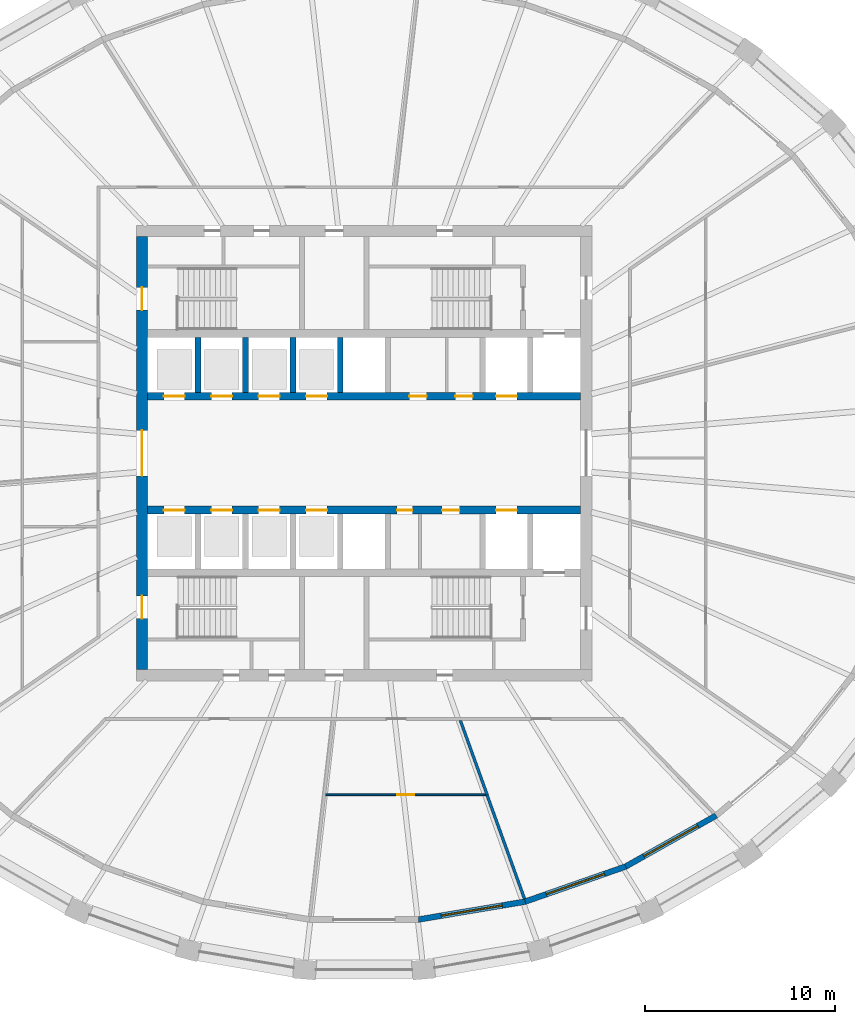
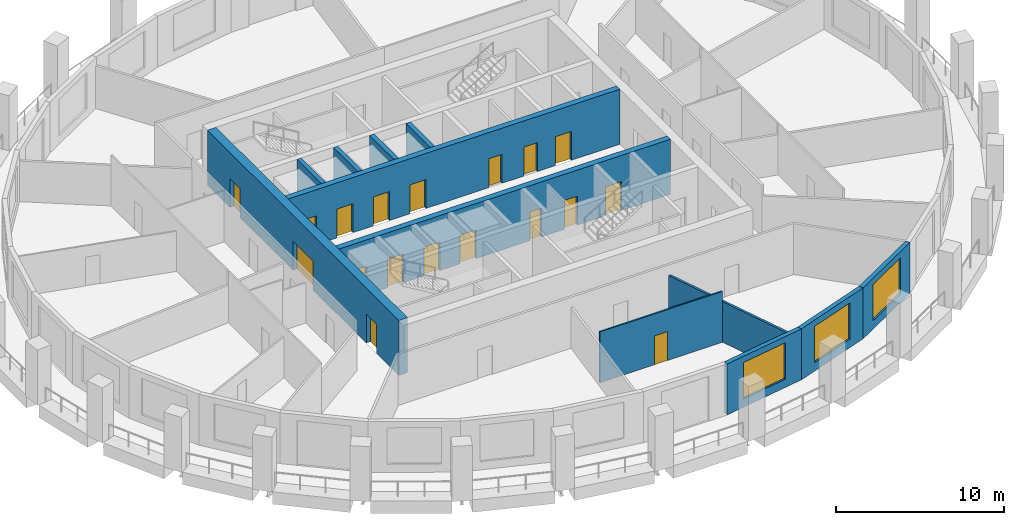
# One storey, part 4 of 11: 18 doors, 13 walls, 3 windows, 21 openings.
"""IFC4 building model written with IfcOpenShell, lengths in metres."""

import ifcopenshell
import ifcopenshell.guid

model = None  # the IFC model being written
_history = None  # IfcOwnerHistory: only IFC2X3 demands one
_inside = {}  # id of a spatial element -> (the spatial element, [elements in it])
_under = {}  # id of a project, library or spatial element -> (it, [spatial elements below it])
_declared = {}  # id of a project -> (the project, [libraries it declares])
_typed = {}  # id of a type object -> (the type object, [elements of that type])
_made_of = {}  # id of a material, layer set ... -> (it, [elements and type objects made of it])


def new_model(schema):
    """Start an empty IFC model of exactly this schema.

    Asked for "IFC4X3", IfcOpenShell would pick the latest addendum, in which some entities
    have other attributes; the version numbers below select the first issue.
    IFC2X3 requires an IfcOwnerHistory on every rooted entity: one is made here for all.
    """
    global model, _history
    if schema == "IFC4X3":
        model = ifcopenshell.file(schema_version=(4, 3, 0, 0))
    else:
        model = ifcopenshell.file(schema=schema)
    _inside.clear()
    _under.clear()
    _declared.clear()
    _typed.clear()
    _made_of.clear()
    _history = None
    if model.schema == "IFC2X3":
        org = make("IfcOrganization", Name="unknown")
        user = make(
            "IfcPersonAndOrganization",
            ThePerson=make("IfcPerson", FamilyName="unknown"),
            TheOrganization=org,
        )
        app = make(
            "IfcApplication",
            ApplicationDeveloper=org,
            Version="unknown",
            ApplicationFullName="unknown",
            ApplicationIdentifier="unknown",
        )
        _history = make(
            "IfcOwnerHistory",
            OwningUser=user,
            OwningApplication=app,
            ChangeAction="ADDED",
            CreationDate=0,
        )
    return model


def make(cls, **values):
    """One entity of the class cls with the attributes given. An attribute that is None is left unset."""
    return model.create_entity(
        cls, **{name: value for name, value in values.items() if value is not None}
    )


def rooted(cls, **values):
    """An entity with a GlobalId (a new one), such as an element, a storey or a relation."""
    return make(cls, GlobalId=ifcopenshell.guid.new(), OwnerHistory=_history, **values)


def si_unit(unit_type, name, prefix=None):
    """IfcSIUnit, for example si_unit("LENGTHUNIT", "METRE", prefix="MILLI")."""
    return make("IfcSIUnit", UnitType=unit_type, Prefix=prefix, Name=name)


def assignment(units):
    """IfcUnitAssignment: the units of a project."""
    return None if units is None else make("IfcUnitAssignment", Units=units)


def point(xyz):
    """IfcCartesianPoint."""
    return None if xyz is None else make("IfcCartesianPoint", Coordinates=xyz)


def direction(xyz):
    """IfcDirection."""
    return None if xyz is None else make("IfcDirection", DirectionRatios=xyz)


def frame(location, z_axis=None, x_axis=None):
    """IfcAxis2Placement3D, a coordinate frame: its origin and axes. An axis left out is left unset."""
    return make(
        "IfcAxis2Placement3D",
        Location=point(location),
        Axis=direction(z_axis),
        RefDirection=direction(x_axis),
    )


def frame_2d(location, x_axis=None):
    """IfcAxis2Placement2D, a coordinate frame in the plane: its origin and x axis."""
    return make(
        "IfcAxis2Placement2D", Location=point(location), RefDirection=direction(x_axis)
    )


def origin():
    """The frame at (0, 0, 0) with its axes left unset."""
    return frame((0.0, 0.0, 0.0))


def place(relative_to, where):
    """IfcLocalPlacement: puts the frame where relative to a parent placement (None: the world)."""
    return make(
        "IfcLocalPlacement", PlacementRelTo=relative_to, RelativePlacement=where
    )


def context(
    kind, dimensions, precision=None, world=None, true_north=None, identifier=None
):
    """IfcGeometricRepresentationContext, for example the 3D "Model" context."""
    return make(
        "IfcGeometricRepresentationContext",
        ContextIdentifier=identifier,
        ContextType=kind,
        CoordinateSpaceDimension=dimensions,
        Precision=precision,
        WorldCoordinateSystem=world,
        TrueNorth=true_north,
    )


def subcontext(parent, identifier, kind, view, scale=None):
    """IfcGeometricRepresentationSubContext, for example "Body" below "Model"."""
    return make(
        "IfcGeometricRepresentationSubContext",
        ContextIdentifier=identifier,
        ContextType=kind,
        ParentContext=parent,
        TargetScale=scale,
        TargetView=view,
    )


def project(units=None, contexts=None):
    """IfcProject with its units and contexts."""
    return rooted(
        "IfcProject",
        Name="project",
        RepresentationContexts=contexts,
        UnitsInContext=assignment(units),
    )


def spatial(cls, under=None, at=None, **own):
    """A site, building, storey or space (cls), placed at a placement, below another one or the project."""
    s = rooted(cls, ObjectPlacement=at, **own)
    if under is not None:
        _under.setdefault(under.id(), (under, []))[1].append(s)
    return s


def polyline(points):
    """IfcPolyline through the points."""
    return make("IfcPolyline", Points=[point(p) for p in points])


def profile(cls, at=None, kind="AREA", **sizes):
    """A parametric profile (cls). Its sizes go by their IFC names, for example OverallWidth=200.0."""
    return make(cls, ProfileType=kind, Position=at, **sizes)


def rectangle(**sizes):
    """IfcRectangleProfileDef."""
    return profile("IfcRectangleProfileDef", **sizes)


def outline(outer, holes=None, kind="AREA"):
    """IfcArbitraryClosedProfileDef: a profile drawn as a closed curve; with holes, ...WithVoids."""
    if holes is None:
        return make("IfcArbitraryClosedProfileDef", ProfileType=kind, OuterCurve=outer)
    return make(
        "IfcArbitraryProfileDefWithVoids",
        ProfileType=kind,
        OuterCurve=outer,
        InnerCurves=holes,
    )


def extrude(swept, where, along, depth):
    """IfcExtrudedAreaSolid: the profile swept, set in the frame where, extruded along a direction by depth."""
    return make(
        "IfcExtrudedAreaSolid",
        SweptArea=swept,
        Position=where,
        ExtrudedDirection=direction(along),
        Depth=depth,
    )


def shape(context_of_items, identifier, shape_type, items):
    """IfcShapeRepresentation: the items that make up one representation, for example the "Body"."""
    return make(
        "IfcShapeRepresentation",
        ContextOfItems=context_of_items,
        RepresentationIdentifier=identifier,
        RepresentationType=shape_type,
        Items=items,
    )


def material(Name=None, Category=None):
    """IfcMaterial."""
    return make("IfcMaterial", Name=Name, Category=Category)


def layer(
    of_material, thickness, ventilated=None, Name=None, Category=None, Priority=None
):
    """IfcMaterialLayer: one layer of a wall or slab, of a material (None: an air gap)."""
    return make(
        "IfcMaterialLayer",
        Material=of_material,
        LayerThickness=thickness,
        IsVentilated=ventilated,
        Name=Name,
        Category=Category,
        Priority=Priority,
    )


def layer_set(layers, Name=None):
    """IfcMaterialLayerSet."""
    return make("IfcMaterialLayerSet", MaterialLayers=layers, LayerSetName=Name)


def made_of(thing, what):
    """Note that an element or type object is made of a material, layer set ...; save() writes the relation."""
    if what is not None:
        _made_of.setdefault(what.id(), (what, []))[1].append(thing)
    return thing


def type_object(cls, material=None, **own):
    """A type object (cls), such as IfcWallType, which elements share."""
    return made_of(rooted(cls, **own), material)


def element(
    cls,
    number,
    at=None,
    inside=None,
    cuts=None,
    type_object=None,
    material=None,
    context=None,
    identifier="Body",
    shape_type=None,
    held_by="IfcProductDefinitionShape",
    body=None,
    shapes=None,
    **own,
):
    """One element of the class cls, such as IfcWall. Its Tag is "e" and its number.

    at: its placement. inside: the storey or other place that contains it. cuts: it is an
    opening in that element (IfcRelVoidsElement). A single representation is given by context,
    identifier, shape_type and body (its items); several are given by shapes. held_by: the class
    of the entity that holds the representations. save() writes the other relations.
    """
    e = rooted(cls, Tag="e%d" % number, ObjectPlacement=at, **own)
    if body is not None:
        shapes = [shape(context, identifier, shape_type, body)]
    if shapes is not None:
        e.Representation = make(held_by, Representations=shapes)
    if inside is not None:
        _inside.setdefault(inside.id(), (inside, []))[1].append(e)
    if cuts is not None:
        rooted(
            "IfcRelVoidsElement", RelatingBuildingElement=cuts, RelatedOpeningElement=e
        )
    if type_object is not None:
        _typed.setdefault(type_object.id(), (type_object, []))[1].append(e)
    return made_of(e, material)


def fill(opening, filler):
    """IfcRelFillsElement: the door or window that sits in an opening."""
    return rooted(
        "IfcRelFillsElement",
        RelatingOpeningElement=opening,
        RelatedBuildingElement=filler,
    )


def aggregate(whole, parts):
    """IfcRelAggregates: a whole, such as a stair, and the parts it consists of."""
    return rooted("IfcRelAggregates", RelatingObject=whole, RelatedObjects=parts)


def save(model, path):
    """Write the relations noted so far, then the file.

    IfcRelAggregates (storeys below a building ...), IfcRelContainedInSpatialStructure (elements
    in a storey), IfcRelDefinesByType, IfcRelAssociatesMaterial and IfcRelDeclares: one each for
    every whole, place, type object, material and project.
    """
    for whole, parts in _under.values():
        aggregate(whole, parts)
    for where, things in _inside.values():
        rooted(
            "IfcRelContainedInSpatialStructure",
            RelatedElements=things,
            RelatingStructure=where,
        )
    for kind, things in _typed.values():
        rooted("IfcRelDefinesByType", RelatedObjects=things, RelatingType=kind)
    for what, things in _made_of.values():
        rooted("IfcRelAssociatesMaterial", RelatedObjects=things, RelatingMaterial=what)
    for by, libraries in _declared.values():
        rooted("IfcRelDeclares", RelatingContext=by, RelatedDefinitions=libraries)
    model.write(path)


model = new_model("IFC4")

# Units and contexts
model_context = context("Model", 3, precision=1e-05, world=origin(), true_north=direction((0.0, 1.0)))
body_context = subcontext(model_context, "Body", "Model", "MODEL_VIEW")
ifc_project = project(units=[si_unit("LENGTHUNIT", "METRE"), si_unit("AREAUNIT", "SQUARE_METRE"), si_unit("VOLUMEUNIT", "CUBIC_METRE"), si_unit("PLANEANGLEUNIT", "RADIAN"), si_unit("MASSUNIT", "GRAM", prefix="KILO")], contexts=[model_context])

# Site, building, storey
site_placement = place(None, origin())
site = spatial("IfcSite", under=ifc_project, at=site_placement, CompositionType="ELEMENT")
building_placement = place(site_placement, origin())
building = spatial("IfcBuilding", under=site, at=building_placement, Name="Halqa Exchange Tower", CompositionType="ELEMENT")
storey_placement = place(building_placement, frame((0.0, 0.0, 214.89990234375)))
storey = spatial("IfcBuildingStorey", under=building, at=storey_placement, Name="L49", CompositionType="ELEMENT", Elevation=214.89990234375)

# Walls
ifc_material_1 = material(Name="Fire-rated gypsum board")
ifc_layer_1 = layer(ifc_material_1, 0.14990234375)
ifc_layer_set_1 = layer_set([ifc_layer_1], Name="Fire-rated gypsum board")
wall_type_1 = type_object("IfcWallType", Name="Fire partition EI 60 150", PredefinedType="PARTITIONING", material=ifc_layer_set_1)
wall_1_placement = place(storey_placement, frame((5.05810546875, -14.0498046875, 0.0), z_axis=(0.0, 0.0, 1.0), x_axis=(0.338678283686, -0.940902237302, 0.0)))
element("IfcWall", 1, at=wall_1_placement, inside=storey, type_object=wall_type_1, Name="L49-PWL-022", PredefinedType="PARTITIONING", context=body_context, shape_type="SweptSolid", body=[
    extrude(outline(polyline([(0.0, -0.074951171875), (1.372802734375, -0.074951171875), (2.745361328125, -0.074951171875), (4.1181640625, -0.074951171875), (4.1181640625, -0.07470703125), (4.11865234375, -0.074951171875), (4.1982421875, -0.074951171875), (4.1982421875, 0.074951171875), (2.816650390625, 0.074951171875), (1.435302734375, 0.074951171875), (0.0537109375, 0.074951171875), (0.0, -0.074462890625), (0.0, -0.074951171875)])), origin(), (0.0, 0.0, 1.0), 2.947021484375),
])
wall_2_placement = place(storey_placement, frame((6.47119140625, -18.00341796875, 0.0), z_axis=(0.0, 0.0, 1.0), x_axis=(0.339648584393, -0.940552411681, 0.0)))
element("IfcWall", 2, at=wall_2_placement, inside=storey, type_object=wall_type_1, Name="L49-PWL-024", PredefinedType="PARTITIONING", context=body_context, shape_type="SweptSolid", body=[
    extrude(outline(polyline([(0.021484375, -0.074951171875), (1.951171875, -0.074951171875), (3.880615234375, -0.074951171875), (5.810302734375, -0.074951171875), (5.8232421875, -0.003662109375), (5.82373046875, 0.043212890625), (5.82373046875, 0.074951171875), (3.882568359375, 0.074951171875), (1.941162109375, 0.074951171875), (0.0, 0.074951171875), (0.0, -0.067138671875), (0.021484375, -0.074951171875)])), origin(), (0.0, 0.0, 1.0), 2.947021484375),
])

# Wall, opening, door
ifc_material_2 = material(Name="Gypsum board")
ifc_layer_2 = layer(ifc_material_2, 0.10009765625)
ifc_layer_set_2 = layer_set([ifc_layer_2], Name="Gypsum board")
wall_type_2 = type_object("IfcWallType", Name="Partition 100 gypsum", PredefinedType="PARTITIONING", material=ifc_layer_set_2)
wall_3_placement = place(storey_placement, frame((6.407958984375, -18.0, 0.0), z_axis=(0.0, 0.0, 1.0), x_axis=(-1.0, 0.0, 0.0)))
wall_3 = element("IfcWall", 3, at=wall_3_placement, inside=storey, type_object=wall_type_2, Name="L49-PWL-023", PredefinedType="PARTITIONING", context=body_context, shape_type="SweptSolid", body=[
    extrude(outline(polyline([(0.025634765625, -0.050048828125), (1.705810546875, -0.050048828125), (3.385986328125, -0.050048828125), (5.066162109375, -0.050048828125), (6.746337890625, -0.050048828125), (8.426513671875, -0.050048828125), (8.43798828125, 0.04736328125), (8.43798828125, 0.050048828125), (6.75048828125, 0.050048828125), (5.062744140625, 0.050048828125), (3.375244140625, 0.050048828125), (1.6875, 0.050048828125), (0.0, 0.050048828125), (0.0, 0.049072265625), (0.0068359375, 0.0302734375), (0.0, 0.02783203125), (0.0, 0.021484375), (0.025634765625, -0.050048828125)])), origin(), (0.0, 0.0, 1.0), 3.7001953125),
])
opening_1_placement = place(wall_3_placement, frame((3.77294921875, 0.0, 0.0)))
opening_1 = element("IfcOpeningElement", 4, at=opening_1_placement, cuts=wall_3, Name="Opening 15-19", PredefinedType="OPENING", context=body_context, shape_type="SweptSolid", body=[
    extrude(rectangle(XDim=0.89990234375, YDim=2.10009765625, at=frame_2d((0.449951171875, 1.050048828125))), frame((0.0, 0.06201171875, 0.0), z_axis=(0.0, -1.0, 0.0), x_axis=(1.0, 0.0, 0.0)), (0.0, 0.0, 1.0), 0.1240234375),
])
ifc_material_3 = material(Name="Timber door leaf", Category="wood")
door_type_1 = type_object("IfcDoorType", Name="Door 900 x 2100", OperationType="SINGLE_SWING_LEFT", PredefinedType="DOOR", material=ifc_material_3)
door_1_placement = place(opening_1_placement, frame((0.89990234375, 0.0, 0.0), z_axis=(0.0, 0.0, 1.0), x_axis=(-1.0, 0.0, 0.0)))
door_1 = element("IfcDoor", 5, at=door_1_placement, inside=storey, type_object=door_type_1, Name="L49-IDR-019", OperationType="SINGLE_SWING_RIGHT", OverallHeight=2.10009765625, OverallWidth=0.89990234375, PredefinedType="DOOR", context=body_context, shape_type="SweptSolid", body=[
    extrude(rectangle(XDim=0.89990234375, YDim=2.10009765625, at=frame_2d((0.449951171875, 1.050048828125))), frame((0.0, 0.02490234375, 0.0), z_axis=(0.0, -1.0, 0.0), x_axis=(1.0, 0.0, 0.0)), (0.0, 0.0, 1.0), 0.050048828125),
])
fill(opening_1, door_1)

# Walls
ifc_material_4 = material(Name="Concrete C60/75", Category="concrete")
ifc_layer_3 = layer(ifc_material_4, 0.300048828125)
ifc_layer_set_3 = layer_set([ifc_layer_3], Name="Concrete C60/75")
wall_type_3 = type_object("IfcWallType", Name="RC core wall 300", PredefinedType="SHEAR", material=ifc_layer_set_3)
for number, where, z_axis, x_axis, name in (
    (6, (-8.75, 3.199951171875, 0.0), (0.0, 0.0, 1.0), (0.0, 1.0, 0.0), "Shaft divider N1"),
    (7, (-6.25, 3.199951171875, 0.0), (0.0, 0.0, 1.0), (0.0, 1.0, 0.0), "Shaft divider N2"),
    (8, (-3.75, 3.199951171875, 0.0), (0.0, 0.0, 1.0), (0.0, 1.0, 0.0), "Shaft divider N3"),
    (9, (-1.25, 3.199951171875, 0.0), (0.0, 0.0, 1.0), (0.0, 1.0, 0.0), "Shaft divider N4"),
):
    element("IfcWall", number, at=place(storey_placement, frame(where, z_axis=z_axis, x_axis=x_axis)), inside=storey, type_object=wall_type_3, Name=name, PredefinedType="SHEAR", context=body_context, shape_type="SweptSolid", body=[
        extrude(rectangle(XDim=2.900146484375, YDim=0.300048828125, at=frame_2d((1.4501953125, 0.0))), origin(), (0.0, 0.0, 1.0), 4.0),
    ])

# Wall, openings, doors
ifc_material_5 = material(Name="Concrete C70/85", Category="concrete")
ifc_layer_4 = layer(ifc_material_5, 0.39990234375)
ifc_layer_set_4 = layer_set([ifc_layer_4], Name="Concrete C70/85")
wall_type_4 = type_object("IfcWallType", Name="RC core wall 400 C70/85", PredefinedType="SHEAR", material=ifc_layer_set_4)
wall_4_placement = place(storey_placement, frame((-11.39990234375, 3.0, 0.0), z_axis=(0.0, 0.0, 1.0), x_axis=(1.0, 0.0, 0.0)))
wall_4 = element("IfcWall", 10, at=wall_4_placement, inside=storey, type_object=wall_type_4, Name="Lift row front wall N", PredefinedType="SHEAR", context=body_context, shape_type="SweptSolid", body=[
    extrude(rectangle(XDim=22.7998046875, YDim=0.39990234375, at=frame_2d((11.39990234375, 0.0))), origin(), (0.0, 0.0, 1.0), 4.0),
])
opening_2_placement = place(wall_4_placement, frame((0.85009765625, 0.0, 0.0)))
opening_2 = element("IfcOpeningElement", 11, at=opening_2_placement, cuts=wall_4, Name="Opening LD-HR1-T15", PredefinedType="OPENING", context=body_context, shape_type="SweptSolid", body=[
    extrude(rectangle(XDim=1.10009765625, YDim=2.10009765625, at=frame_2d((0.550048828125, 1.050048828125))), frame((0.0, 0.2119140625, 0.0), z_axis=(0.0, -1.0, 0.0), x_axis=(1.0, 0.0, 0.0)), (0.0, 0.0, 1.0), 0.423828125),
])
opening_3_placement = place(wall_4_placement, frame((3.35009765625, 0.0, 0.0)))
opening_3 = element("IfcOpeningElement", 12, at=opening_3_placement, cuts=wall_4, Name="Opening LD-HR2-T15", PredefinedType="OPENING", context=body_context, shape_type="SweptSolid", body=[
    extrude(rectangle(XDim=1.10009765625, YDim=2.10009765625, at=frame_2d((0.550048828125, 1.050048828125))), frame((0.0, 0.2119140625, 0.0), z_axis=(0.0, -1.0, 0.0), x_axis=(1.0, 0.0, 0.0)), (0.0, 0.0, 1.0), 0.423828125),
])
opening_4_placement = place(wall_4_placement, frame((5.85009765625, 0.0, 0.0)))
opening_4 = element("IfcOpeningElement", 13, at=opening_4_placement, cuts=wall_4, Name="Opening LD-MR1-T15", PredefinedType="OPENING", context=body_context, shape_type="SweptSolid", body=[
    extrude(rectangle(XDim=1.10009765625, YDim=2.10009765625, at=frame_2d((0.550048828125, 1.050048828125))), frame((0.0, 0.2119140625, 0.0), z_axis=(0.0, -1.0, 0.0), x_axis=(1.0, 0.0, 0.0)), (0.0, 0.0, 1.0), 0.423828125),
])
opening_5_placement = place(wall_4_placement, frame((8.35009765625, 0.0, 0.0)))
opening_5 = element("IfcOpeningElement", 14, at=opening_5_placement, cuts=wall_4, Name="Opening LD-MR2-T15", PredefinedType="OPENING", context=body_context, shape_type="SweptSolid", body=[
    extrude(rectangle(XDim=1.10009765625, YDim=2.10009765625, at=frame_2d((0.550048828125, 1.050048828125))), frame((0.0, 0.2119140625, 0.0), z_axis=(0.0, -1.0, 0.0), x_axis=(1.0, 0.0, 0.0)), (0.0, 0.0, 1.0), 0.423828125),
])
opening_6_placement = place(wall_4_placement, frame((18.35009765625, 0.0, 0.0)))
opening_6 = element("IfcOpeningElement", 15, at=opening_6_placement, cuts=wall_4, Name="Opening LD-SV1-T15", PredefinedType="OPENING", context=body_context, shape_type="SweptSolid", body=[
    extrude(rectangle(XDim=1.10009765625, YDim=2.10009765625, at=frame_2d((0.550048828125, 1.050048828125))), frame((0.0, 0.2119140625, 0.0), z_axis=(0.0, -1.0, 0.0), x_axis=(1.0, 0.0, 0.0)), (0.0, 0.0, 1.0), 0.423828125),
])
opening_7_placement = place(wall_4_placement, frame((13.78759765625, 0.0, 0.0)))
opening_7 = element("IfcOpeningElement", 16, at=opening_7_placement, cuts=wall_4, Name="Opening T15-C29", PredefinedType="OPENING", context=body_context, shape_type="SweptSolid", body=[
    extrude(rectangle(XDim=0.89990234375, YDim=2.10009765625, at=frame_2d((0.449951171875, 1.050048828125))), frame((0.0, 0.2119140625, 0.0), z_axis=(0.0, -1.0, 0.0), x_axis=(1.0, 0.0, 0.0)), (0.0, 0.0, 1.0), 0.423828125),
])
opening_8_placement = place(wall_4_placement, frame((16.21240234375, 0.0, 0.0)))
opening_8 = element("IfcOpeningElement", 17, at=opening_8_placement, cuts=wall_4, Name="Opening T15-C30", PredefinedType="OPENING", context=body_context, shape_type="SweptSolid", body=[
    extrude(rectangle(XDim=0.89990234375, YDim=2.10009765625, at=frame_2d((0.449951171875, 1.050048828125))), frame((0.0, 0.2119140625, 0.0), z_axis=(0.0, -1.0, 0.0), x_axis=(1.0, 0.0, 0.0)), (0.0, 0.0, 1.0), 0.423828125),
])
ifc_material_6 = material(Name="Timber fire door leaf", Category="wood")
door_type_2 = type_object("IfcDoorType", Name="Core room door FD30 900 x 2100", OperationType="SINGLE_SWING_LEFT", PredefinedType="DOOR", material=ifc_material_6)
door_2_placement = place(opening_7_placement, origin())
door_2 = element("IfcDoor", 18, at=door_2_placement, inside=storey, type_object=door_type_2, Name="Core room door", OperationType="SINGLE_SWING_LEFT", OverallHeight=2.10009765625, OverallWidth=0.89990234375, PredefinedType="DOOR", context=body_context, shape_type="SweptSolid", body=[
    extrude(rectangle(XDim=0.89990234375, YDim=2.10009765625, at=frame_2d((0.449951171875, 1.050048828125))), frame((0.0, 0.02490234375, 0.0), z_axis=(0.0, -1.0, 0.0), x_axis=(1.0, 0.0, 0.0)), (0.0, 0.0, 1.0), 0.050048828125),
])
fill(opening_7, door_2)
door_3_placement = place(opening_8_placement, origin())
door_3 = element("IfcDoor", 19, at=door_3_placement, inside=storey, type_object=door_type_2, Name="Core room door", OperationType="SINGLE_SWING_RIGHT", OverallHeight=2.10009765625, OverallWidth=0.89990234375, PredefinedType="DOOR", context=body_context, shape_type="SweptSolid", body=[
    extrude(rectangle(XDim=0.89990234375, YDim=2.10009765625, at=frame_2d((0.449951171875, 1.050048828125))), frame((0.0, 0.02490234375, 0.0), z_axis=(0.0, -1.0, 0.0), x_axis=(1.0, 0.0, 0.0)), (0.0, 0.0, 1.0), 0.050048828125),
])
fill(opening_8, door_3)
ifc_material_7 = material(Name="Stainless steel", Category="steel")
door_type_3 = type_object("IfcDoorType", Name="Lift landing door 1100 x 2100", OperationType="SLIDING_TO_LEFT", PredefinedType="DOOR", material=ifc_material_7)
door_4_placement = place(opening_2_placement, origin())
door_4 = element("IfcDoor", 20, at=door_4_placement, inside=storey, type_object=door_type_3, Name="Lift landing door HR1", OperationType="SLIDING_TO_LEFT", OverallHeight=2.10009765625, OverallWidth=1.10009765625, PredefinedType="DOOR", context=body_context, shape_type="SweptSolid", body=[
    extrude(rectangle(XDim=1.10009765625, YDim=2.10009765625, at=frame_2d((0.550048828125, 1.050048828125))), frame((0.0, 0.02490234375, 0.0), z_axis=(0.0, -1.0, 0.0), x_axis=(1.0, 0.0, 0.0)), (0.0, 0.0, 1.0), 0.050048828125),
])
fill(opening_2, door_4)
door_5_placement = place(opening_3_placement, origin())
door_5 = element("IfcDoor", 21, at=door_5_placement, inside=storey, type_object=door_type_3, Name="Lift landing door HR2", OperationType="SLIDING_TO_LEFT", OverallHeight=2.10009765625, OverallWidth=1.10009765625, PredefinedType="DOOR", context=body_context, shape_type="SweptSolid", body=[
    extrude(rectangle(XDim=1.10009765625, YDim=2.10009765625, at=frame_2d((0.550048828125, 1.050048828125))), frame((0.0, 0.02490234375, 0.0), z_axis=(0.0, -1.0, 0.0), x_axis=(1.0, 0.0, 0.0)), (0.0, 0.0, 1.0), 0.050048828125),
])
fill(opening_3, door_5)
door_6_placement = place(opening_4_placement, origin())
door_6 = element("IfcDoor", 22, at=door_6_placement, inside=storey, type_object=door_type_3, Name="Lift landing door MR1", OperationType="SLIDING_TO_LEFT", OverallHeight=2.10009765625, OverallWidth=1.10009765625, PredefinedType="DOOR", context=body_context, shape_type="SweptSolid", body=[
    extrude(rectangle(XDim=1.10009765625, YDim=2.10009765625, at=frame_2d((0.550048828125, 1.050048828125))), frame((0.0, 0.02490234375, 0.0), z_axis=(0.0, -1.0, 0.0), x_axis=(1.0, 0.0, 0.0)), (0.0, 0.0, 1.0), 0.050048828125),
])
fill(opening_4, door_6)
door_7_placement = place(opening_5_placement, origin())
door_7 = element("IfcDoor", 23, at=door_7_placement, inside=storey, type_object=door_type_3, Name="Lift landing door MR2", OperationType="SLIDING_TO_LEFT", OverallHeight=2.10009765625, OverallWidth=1.10009765625, PredefinedType="DOOR", context=body_context, shape_type="SweptSolid", body=[
    extrude(rectangle(XDim=1.10009765625, YDim=2.10009765625, at=frame_2d((0.550048828125, 1.050048828125))), frame((0.0, 0.02490234375, 0.0), z_axis=(0.0, -1.0, 0.0), x_axis=(1.0, 0.0, 0.0)), (0.0, 0.0, 1.0), 0.050048828125),
])
fill(opening_5, door_7)
door_8_placement = place(opening_6_placement, origin())
door_8 = element("IfcDoor", 24, at=door_8_placement, inside=storey, type_object=door_type_3, Name="Lift landing door SV1", OperationType="SLIDING_TO_LEFT", OverallHeight=2.10009765625, OverallWidth=1.10009765625, PredefinedType="DOOR", context=body_context, shape_type="SweptSolid", body=[
    extrude(rectangle(XDim=1.10009765625, YDim=2.10009765625, at=frame_2d((0.550048828125, 1.050048828125))), frame((0.0, 0.02490234375, 0.0), z_axis=(0.0, -1.0, 0.0), x_axis=(1.0, 0.0, 0.0)), (0.0, 0.0, 1.0), 0.050048828125),
])
fill(opening_6, door_8)

wall_5_placement = place(storey_placement, frame((-11.39990234375, -3.0, 0.0), z_axis=(0.0, 0.0, 1.0), x_axis=(1.0, 0.0, 0.0)))
wall_5 = element("IfcWall", 25, at=wall_5_placement, inside=storey, type_object=wall_type_4, Name="Lift row front wall S", PredefinedType="SHEAR", context=body_context, shape_type="SweptSolid", body=[
    extrude(rectangle(XDim=22.7998046875, YDim=0.39990234375, at=frame_2d((11.39990234375, 0.0))), origin(), (0.0, 0.0, 1.0), 4.0),
])
opening_9_placement = place(wall_5_placement, frame((0.85009765625, 0.0, 0.0)))
opening_9 = element("IfcOpeningElement", 26, at=opening_9_placement, cuts=wall_5, Name="Opening LD-HR3-T15", PredefinedType="OPENING", context=body_context, shape_type="SweptSolid", body=[
    extrude(rectangle(XDim=1.10009765625, YDim=2.10009765625, at=frame_2d((0.550048828125, 1.050048828125))), frame((0.0, 0.2119140625, 0.0), z_axis=(0.0, -1.0, 0.0), x_axis=(1.0, 0.0, 0.0)), (0.0, 0.0, 1.0), 0.423828125),
])
opening_10_placement = place(wall_5_placement, frame((3.35009765625, 0.0, 0.0)))
opening_10 = element("IfcOpeningElement", 27, at=opening_10_placement, cuts=wall_5, Name="Opening LD-HR4-T15", PredefinedType="OPENING", context=body_context, shape_type="SweptSolid", body=[
    extrude(rectangle(XDim=1.10009765625, YDim=2.10009765625, at=frame_2d((0.550048828125, 1.050048828125))), frame((0.0, 0.2119140625, 0.0), z_axis=(0.0, -1.0, 0.0), x_axis=(1.0, 0.0, 0.0)), (0.0, 0.0, 1.0), 0.423828125),
])
opening_11_placement = place(wall_5_placement, frame((5.85009765625, 0.0, 0.0)))
opening_11 = element("IfcOpeningElement", 28, at=opening_11_placement, cuts=wall_5, Name="Opening LD-MR3-T15", PredefinedType="OPENING", context=body_context, shape_type="SweptSolid", body=[
    extrude(rectangle(XDim=1.10009765625, YDim=2.10009765625, at=frame_2d((0.550048828125, 1.050048828125))), frame((0.0, 0.2119140625, 0.0), z_axis=(0.0, -1.0, 0.0), x_axis=(1.0, 0.0, 0.0)), (0.0, 0.0, 1.0), 0.423828125),
])
opening_12_placement = place(wall_5_placement, frame((8.35009765625, 0.0, 0.0)))
opening_12 = element("IfcOpeningElement", 29, at=opening_12_placement, cuts=wall_5, Name="Opening LD-MR4-T15", PredefinedType="OPENING", context=body_context, shape_type="SweptSolid", body=[
    extrude(rectangle(XDim=1.10009765625, YDim=2.10009765625, at=frame_2d((0.550048828125, 1.050048828125))), frame((0.0, 0.2119140625, 0.0), z_axis=(0.0, -1.0, 0.0), x_axis=(1.0, 0.0, 0.0)), (0.0, 0.0, 1.0), 0.423828125),
])
opening_13_placement = place(wall_5_placement, frame((18.35009765625, 0.0, 0.0)))
opening_13 = element("IfcOpeningElement", 30, at=opening_13_placement, cuts=wall_5, Name="Opening LD-SV2-T15", PredefinedType="OPENING", context=body_context, shape_type="SweptSolid", body=[
    extrude(rectangle(XDim=1.10009765625, YDim=2.10009765625, at=frame_2d((0.550048828125, 1.050048828125))), frame((0.0, 0.2119140625, 0.0), z_axis=(0.0, -1.0, 0.0), x_axis=(1.0, 0.0, 0.0)), (0.0, 0.0, 1.0), 0.423828125),
])
opening_14_placement = place(wall_5_placement, frame((13.137451171875, 0.0, 0.0)))
opening_14 = element("IfcOpeningElement", 31, at=opening_14_placement, cuts=wall_5, Name="Opening T15-C31", PredefinedType="OPENING", context=body_context, shape_type="SweptSolid", body=[
    extrude(rectangle(XDim=0.800048828125, YDim=2.10009765625, at=frame_2d((0.39990234375, 1.050048828125))), frame((0.0, 0.2119140625, 0.0), z_axis=(0.0, -1.0, 0.0), x_axis=(1.0, 0.0, 0.0)), (0.0, 0.0, 1.0), 0.423828125),
])
opening_15_placement = place(wall_5_placement, frame((15.512451171875, 0.0, 0.0)))
opening_15 = element("IfcOpeningElement", 32, at=opening_15_placement, cuts=wall_5, Name="Opening T15-C32", PredefinedType="OPENING", context=body_context, shape_type="SweptSolid", body=[
    extrude(rectangle(XDim=0.89990234375, YDim=2.10009765625, at=frame_2d((0.449951171875, 1.050048828125))), frame((0.0, 0.2119140625, 0.0), z_axis=(0.0, -1.0, 0.0), x_axis=(1.0, 0.0, 0.0)), (0.0, 0.0, 1.0), 0.423828125),
])
door_9_placement = place(opening_15_placement, frame((0.89990234375, 0.0, 0.0), z_axis=(0.0, 0.0, 1.0), x_axis=(-1.0, 0.0, 0.0)))
door_9 = element("IfcDoor", 33, at=door_9_placement, inside=storey, type_object=door_type_2, Name="Core room door", OperationType="SINGLE_SWING_LEFT", OverallHeight=2.10009765625, OverallWidth=0.89990234375, PredefinedType="DOOR", context=body_context, shape_type="SweptSolid", body=[
    extrude(rectangle(XDim=0.89990234375, YDim=2.10009765625, at=frame_2d((0.449951171875, 1.050048828125))), frame((0.0, 0.02490234375, 0.0), z_axis=(0.0, -1.0, 0.0), x_axis=(1.0, 0.0, 0.0)), (0.0, 0.0, 1.0), 0.050048828125),
])
fill(opening_15, door_9)
door_10_placement = place(opening_9_placement, origin())
door_10 = element("IfcDoor", 34, at=door_10_placement, inside=storey, type_object=door_type_3, Name="Lift landing door HR3", OperationType="SLIDING_TO_LEFT", OverallHeight=2.10009765625, OverallWidth=1.10009765625, PredefinedType="DOOR", context=body_context, shape_type="SweptSolid", body=[
    extrude(rectangle(XDim=1.10009765625, YDim=2.10009765625, at=frame_2d((0.550048828125, 1.050048828125))), frame((0.0, 0.02490234375, 0.0), z_axis=(0.0, -1.0, 0.0), x_axis=(1.0, 0.0, 0.0)), (0.0, 0.0, 1.0), 0.050048828125),
])
fill(opening_9, door_10)
door_11_placement = place(opening_10_placement, origin())
door_11 = element("IfcDoor", 35, at=door_11_placement, inside=storey, type_object=door_type_3, Name="Lift landing door HR4", OperationType="SLIDING_TO_LEFT", OverallHeight=2.10009765625, OverallWidth=1.10009765625, PredefinedType="DOOR", context=body_context, shape_type="SweptSolid", body=[
    extrude(rectangle(XDim=1.10009765625, YDim=2.10009765625, at=frame_2d((0.550048828125, 1.050048828125))), frame((0.0, 0.02490234375, 0.0), z_axis=(0.0, -1.0, 0.0), x_axis=(1.0, 0.0, 0.0)), (0.0, 0.0, 1.0), 0.050048828125),
])
fill(opening_10, door_11)
door_12_placement = place(opening_11_placement, origin())
door_12 = element("IfcDoor", 36, at=door_12_placement, inside=storey, type_object=door_type_3, Name="Lift landing door MR3", OperationType="SLIDING_TO_LEFT", OverallHeight=2.10009765625, OverallWidth=1.10009765625, PredefinedType="DOOR", context=body_context, shape_type="SweptSolid", body=[
    extrude(rectangle(XDim=1.10009765625, YDim=2.10009765625, at=frame_2d((0.550048828125, 1.050048828125))), frame((0.0, 0.02490234375, 0.0), z_axis=(0.0, -1.0, 0.0), x_axis=(1.0, 0.0, 0.0)), (0.0, 0.0, 1.0), 0.050048828125),
])
fill(opening_11, door_12)
door_13_placement = place(opening_12_placement, origin())
door_13 = element("IfcDoor", 37, at=door_13_placement, inside=storey, type_object=door_type_3, Name="Lift landing door MR4", OperationType="SLIDING_TO_LEFT", OverallHeight=2.10009765625, OverallWidth=1.10009765625, PredefinedType="DOOR", context=body_context, shape_type="SweptSolid", body=[
    extrude(rectangle(XDim=1.10009765625, YDim=2.10009765625, at=frame_2d((0.550048828125, 1.050048828125))), frame((0.0, 0.02490234375, 0.0), z_axis=(0.0, -1.0, 0.0), x_axis=(1.0, 0.0, 0.0)), (0.0, 0.0, 1.0), 0.050048828125),
])
fill(opening_12, door_13)
door_14_placement = place(opening_13_placement, origin())
door_14 = element("IfcDoor", 38, at=door_14_placement, inside=storey, type_object=door_type_3, Name="Lift landing door SV2", OperationType="SLIDING_TO_LEFT", OverallHeight=2.10009765625, OverallWidth=1.10009765625, PredefinedType="DOOR", context=body_context, shape_type="SweptSolid", body=[
    extrude(rectangle(XDim=1.10009765625, YDim=2.10009765625, at=frame_2d((0.550048828125, 1.050048828125))), frame((0.0, 0.02490234375, 0.0), z_axis=(0.0, -1.0, 0.0), x_axis=(1.0, 0.0, 0.0)), (0.0, 0.0, 1.0), 0.050048828125),
])
fill(opening_13, door_14)
ifc_material_8 = material(Name="Steel fire door leaf", Category="steel")
door_type_4 = type_object("IfcDoorType", Name="Riser door FD60 800 x 2100", OperationType="SINGLE_SWING_LEFT", PredefinedType="DOOR", material=ifc_material_8)
door_15_placement = place(opening_14_placement, frame((0.800048828125, 0.0, 0.0), z_axis=(0.0, 0.0, 1.0), x_axis=(-1.0, 0.0, 0.0)))
door_15 = element("IfcDoor", 39, at=door_15_placement, inside=storey, type_object=door_type_4, Name="Core room door", OperationType="SINGLE_SWING_LEFT", OverallHeight=2.10009765625, OverallWidth=0.800048828125, PredefinedType="DOOR", context=body_context, shape_type="SweptSolid", body=[
    extrude(rectangle(XDim=0.800048828125, YDim=2.10009765625, at=frame_2d((0.39990234375, 1.050048828125))), frame((0.0, 0.02490234375, 0.0), z_axis=(0.0, -1.0, 0.0), x_axis=(1.0, 0.0, 0.0)), (0.0, 0.0, 1.0), 0.050048828125),
])
fill(opening_14, door_15)

ifc_layer_5 = layer(ifc_material_5, 0.60009765625)
ifc_layer_set_5 = layer_set([ifc_layer_5], Name="Concrete C70/85")
wall_type_5 = type_object("IfcWallType", Name="RC core wall 600 C70/85", PredefinedType="SHEAR", material=ifc_layer_set_5)
wall_6_placement = place(storey_placement, frame((-11.699951171875, -11.39990234375, 0.0), z_axis=(0.0, 0.0, 1.0), x_axis=(0.0, 1.0, 0.0)))
wall_6 = element("IfcWall", 40, at=wall_6_placement, inside=storey, type_object=wall_type_5, Name="Core wall west", PredefinedType="SHEAR", context=body_context, shape_type="SweptSolid", body=[
    extrude(rectangle(XDim=22.7998046875, YDim=0.60009765625, at=frame_2d((11.39990234375, 0.0))), origin(), (0.0, 0.0, 1.0), 4.0),
])
opening_16_placement = place(wall_6_placement, frame((10.199951171875, 0.0, 0.0)))
opening_16 = element("IfcOpeningElement", 41, at=opening_16_placement, cuts=wall_6, Name="Opening T15-C13", PredefinedType="OPENING", context=body_context, shape_type="SweptSolid", body=[
    extrude(rectangle(XDim=2.39990234375, YDim=2.10009765625, at=frame_2d((1.199951171875, 1.050048828125))), frame((0.0, 0.31201171875, 0.0), z_axis=(0.0, -1.0, 0.0), x_axis=(1.0, 0.0, 0.0)), (0.0, 0.0, 1.0), 0.6240234375),
])
opening_17_placement = place(wall_6_placement, frame((18.925048828125, 0.0, 0.0)))
opening_17 = element("IfcOpeningElement", 42, at=opening_17_placement, cuts=wall_6, Name="Opening T15-C15", PredefinedType="OPENING", context=body_context, shape_type="SweptSolid", body=[
    extrude(rectangle(XDim=1.199951171875, YDim=2.10009765625, at=frame_2d((0.60009765625, 1.050048828125))), frame((0.0, 0.31201171875, 0.0), z_axis=(0.0, -1.0, 0.0), x_axis=(1.0, 0.0, 0.0)), (0.0, 0.0, 1.0), 0.6240234375),
])
opening_18_placement = place(wall_6_placement, frame((2.675048828125, 0.0, 0.0)))
opening_18 = element("IfcOpeningElement", 43, at=opening_18_placement, cuts=wall_6, Name="Opening T15-C17", PredefinedType="OPENING", context=body_context, shape_type="SweptSolid", body=[
    extrude(rectangle(XDim=1.199951171875, YDim=2.10009765625, at=frame_2d((0.60009765625, 1.050048828125))), frame((0.0, 0.31201171875, 0.0), z_axis=(0.0, -1.0, 0.0), x_axis=(1.0, 0.0, 0.0)), (0.0, 0.0, 1.0), 0.6240234375),
])
door_type_5 = type_object("IfcDoorType", Name="Lobby double door FD60 2400 x 2100", OperationType="DOUBLE_DOOR_SINGLE_SWING", PredefinedType="DOOR", material=ifc_material_8)
door_16_placement = place(opening_16_placement, frame((2.39990234375, 0.0, 0.0), z_axis=(0.0, 0.0, 1.0), x_axis=(-1.0, 0.0, 0.0)))
door_16 = element("IfcDoor", 44, at=door_16_placement, inside=storey, type_object=door_type_5, Name="Lift lobby double door", OperationType="DOUBLE_DOOR_SINGLE_SWING", OverallHeight=2.10009765625, OverallWidth=2.39990234375, PredefinedType="DOOR", context=body_context, shape_type="SweptSolid", body=[
    extrude(rectangle(XDim=2.39990234375, YDim=2.10009765625, at=frame_2d((1.199951171875, 1.050048828125))), frame((0.0, 0.02490234375, 0.0), z_axis=(0.0, -1.0, 0.0), x_axis=(1.0, 0.0, 0.0)), (0.0, 0.0, 1.0), 0.050048828125),
])
fill(opening_16, door_16)
door_type_6 = type_object("IfcDoorType", Name="Stair door FD90 1200 x 2100", OperationType="SINGLE_SWING_LEFT", PredefinedType="DOOR", material=ifc_material_8)
door_17_placement = place(opening_17_placement, frame((1.199951171875, 0.0, 0.0), z_axis=(0.0, 0.0, 1.0), x_axis=(-1.0, 0.0, 0.0)))
door_17 = element("IfcDoor", 45, at=door_17_placement, inside=storey, type_object=door_type_6, Name="Stair door ST1", OperationType="SINGLE_SWING_RIGHT", OverallHeight=2.10009765625, OverallWidth=1.199951171875, PredefinedType="DOOR", context=body_context, shape_type="SweptSolid", body=[
    extrude(rectangle(XDim=1.199951171875, YDim=2.10009765625, at=frame_2d((0.60009765625, 1.050048828125))), frame((0.0, 0.02490234375, 0.0), z_axis=(0.0, -1.0, 0.0), x_axis=(1.0, 0.0, 0.0)), (0.0, 0.0, 1.0), 0.050048828125),
])
fill(opening_17, door_17)
door_18_placement = place(opening_18_placement, frame((1.199951171875, 0.0, 0.0), z_axis=(0.0, 0.0, 1.0), x_axis=(-1.0, 0.0, 0.0)))
door_18 = element("IfcDoor", 46, at=door_18_placement, inside=storey, type_object=door_type_6, Name="Stair door ST3", OperationType="SINGLE_SWING_RIGHT", OverallHeight=2.10009765625, OverallWidth=1.199951171875, PredefinedType="DOOR", context=body_context, shape_type="SweptSolid", body=[
    extrude(rectangle(XDim=1.199951171875, YDim=2.10009765625, at=frame_2d((0.60009765625, 1.050048828125))), frame((0.0, 0.02490234375, 0.0), z_axis=(0.0, -1.0, 0.0), x_axis=(1.0, 0.0, 0.0)), (0.0, 0.0, 1.0), 0.050048828125),
])
fill(opening_18, door_18)

# Wall, opening, window
ifc_material_9 = material(Name="Limestone cladding", Category="masonry")
ifc_layer_6 = layer(ifc_material_9, 0.0400390625)
ifc_material_10 = material(Name="Ventilated cavity")
ifc_layer_7 = layer(ifc_material_10, 0.030029296875, ventilated=True)
ifc_material_11 = material(Name="Mineral wool insulation")
ifc_layer_8 = layer(ifc_material_11, 0.10009765625)
ifc_material_12 = material(Name="Concrete C30/37", Category="concrete")
ifc_layer_9 = layer(ifc_material_12, 0.10009765625)
ifc_material_13 = material(Name="Internal plaster")
ifc_layer_10 = layer(ifc_material_13, 0.030029296875)
ifc_layer_set_6 = layer_set([ifc_layer_6, ifc_layer_7, ifc_layer_8, ifc_layer_9, ifc_layer_10], Name="Stone-faced insulated wall 300")
wall_type_6 = type_object("IfcWallType", Name="Stone-faced insulated wall 300", PredefinedType="STANDARD", material=ifc_layer_set_6)
wall_7_placement = place(storey_placement, frame((2.8642578125, -24.570068359375, 0.0), z_axis=(0.0, 0.0, 1.0), x_axis=(0.986218486863, 0.16544816762, 0.0)))
wall_7 = element("IfcWall", 47, at=wall_7_placement, inside=storey, type_object=wall_type_6, Name="Glass-line wall 25", PredefinedType="STANDARD", context=body_context, shape_type="SweptSolid", body=[
    extrude(outline(polyline([(-0.012451171875, -0.14990234375), (5.710205078125, -0.14990234375), (5.684814453125, 0.14990234375), (0.012451171875, 0.14990234375), (-0.012451171875, -0.14990234375)])), origin(), (0.0, 0.0, 1.0), 3.7001953125),
])
opening_19_placement = place(wall_7_placement, frame((1.2236328125, 0.0, 0.60009765625)))
opening_19 = element("IfcOpeningElement", 48, at=opening_19_placement, cuts=wall_7, Name="Opening W-F3-25", PredefinedType="OPENING", context=body_context, shape_type="SweptSolid", body=[
    extrude(rectangle(XDim=3.25, YDim=2.64990234375, at=frame_2d((1.625, 1.324951171875))), frame((0.0, 0.162109375, 0.0), z_axis=(0.0, -1.0, 0.0), x_axis=(1.0, 0.0, 0.0)), (0.0, 0.0, 1.0), 0.323974609375),
])
ifc_material_14 = material(Name="Clear low-emissivity glass in aluminium frame", Category="aluminium")
window_type = type_object("IfcWindowType", Name="Fixed clear glazed window 3250 x 2650", PartitioningType="TRIPLE_PANEL_VERTICAL", PredefinedType="WINDOW", material=ifc_material_14)
window_1_placement = place(opening_19_placement, origin())
window_1 = element("IfcWindow", 49, at=window_1_placement, inside=storey, type_object=window_type, Name="Window 3", OverallHeight=2.64990234375, OverallWidth=3.25, PartitioningType="TRIPLE_PANEL_VERTICAL", PredefinedType="WINDOW", context=body_context, shape_type="SweptSolid", body=[
    extrude(rectangle(XDim=3.25, YDim=2.64990234375, at=frame_2d((1.625, 1.324951171875))), frame((0.0, 0.030029296875, 0.0), z_axis=(0.0, -1.0, 0.0), x_axis=(1.0, 0.0, 0.0)), (0.0, 0.0, 1.0), 0.06005859375),
])
fill(opening_19, window_1)

wall_8_placement = place(storey_placement, frame((8.483154296875, -23.62744140625, 0.0), z_axis=(0.0, 0.0, 1.0), x_axis=(0.944053670735, 0.329791853708, 0.0)))
wall_8 = element("IfcWall", 50, at=wall_8_placement, inside=storey, type_object=wall_type_6, Name="Glass-line wall 26", PredefinedType="STANDARD", context=body_context, shape_type="SweptSolid", body=[
    extrude(outline(polyline([(-0.0126953125, -0.14990234375), (5.62109375, -0.14990234375), (5.59423828125, 0.14990234375), (0.0126953125, 0.14990234375), (-0.0126953125, -0.14990234375)])), origin(), (0.0, 0.0, 1.0), 3.7001953125),
])
opening_20_placement = place(wall_8_placement, frame((1.178955078125, 0.0, 0.60009765625)))
opening_20 = element("IfcOpeningElement", 51, at=opening_20_placement, cuts=wall_8, Name="Opening W-F3-26", PredefinedType="OPENING", context=body_context, shape_type="SweptSolid", body=[
    extrude(rectangle(XDim=3.25, YDim=2.64990234375, at=frame_2d((1.625, 1.324951171875))), frame((0.0, 0.162109375, 0.0), z_axis=(0.0, -1.0, 0.0), x_axis=(1.0, 0.0, 0.0)), (0.0, 0.0, 1.0), 0.323974609375),
])
window_2_placement = place(opening_20_placement, origin())
window_2 = element("IfcWindow", 52, at=window_2_placement, inside=storey, type_object=window_type, Name="Window 3", OverallHeight=2.64990234375, OverallWidth=3.25, PartitioningType="TRIPLE_PANEL_VERTICAL", PredefinedType="WINDOW", context=body_context, shape_type="SweptSolid", body=[
    extrude(rectangle(XDim=3.25, YDim=2.64990234375, at=frame_2d((1.625, 1.324951171875))), frame((0.0, 0.030029296875, 0.0), z_axis=(0.0, -1.0, 0.0), x_axis=(1.0, 0.0, 0.0)), (0.0, 0.0, 1.0), 0.06005859375),
])
fill(opening_20, window_2)

wall_9_placement = place(storey_placement, frame((13.777099609375, -21.778076171875, 0.0), z_axis=(0.0, 0.0, 1.0), x_axis=(0.871207038577, 0.490915772749, 0.0)))
wall_9 = element("IfcWall", 53, at=wall_9_placement, inside=storey, type_object=wall_type_6, Name="Glass-line wall 27", PredefinedType="STANDARD", context=body_context, shape_type="SweptSolid", body=[
    extrude(outline(polyline([(-0.013427734375, -0.14990234375), (5.485107421875, -0.14990234375), (5.456787109375, 0.14990234375), (0.013427734375, 0.14990234375), (-0.013427734375, -0.14990234375)])), origin(), (0.0, 0.0, 1.0), 3.7001953125),
])
opening_21_placement = place(wall_9_placement, frame((1.110595703125, 0.0, 0.60009765625)))
opening_21 = element("IfcOpeningElement", 54, at=opening_21_placement, cuts=wall_9, Name="Opening W-F3-27", PredefinedType="OPENING", context=body_context, shape_type="SweptSolid", body=[
    extrude(rectangle(XDim=3.25, YDim=2.64990234375, at=frame_2d((1.625, 1.324951171875))), frame((0.0, 0.162109375, 0.0), z_axis=(0.0, -1.0, 0.0), x_axis=(1.0, 0.0, 0.0)), (0.0, 0.0, 1.0), 0.323974609375),
])
window_3_placement = place(opening_21_placement, origin())
window_3 = element("IfcWindow", 55, at=window_3_placement, inside=storey, type_object=window_type, Name="Window 3", OverallHeight=2.64990234375, OverallWidth=3.25, PartitioningType="TRIPLE_PANEL_VERTICAL", PredefinedType="WINDOW", context=body_context, shape_type="SweptSolid", body=[
    extrude(rectangle(XDim=3.25, YDim=2.64990234375, at=frame_2d((1.625, 1.324951171875))), frame((0.0, 0.030029296875, 0.0), z_axis=(0.0, -1.0, 0.0), x_axis=(1.0, 0.0, 0.0)), (0.0, 0.0, 1.0), 0.06005859375),
])
fill(opening_21, window_3)

save(model, "model.ifc")
